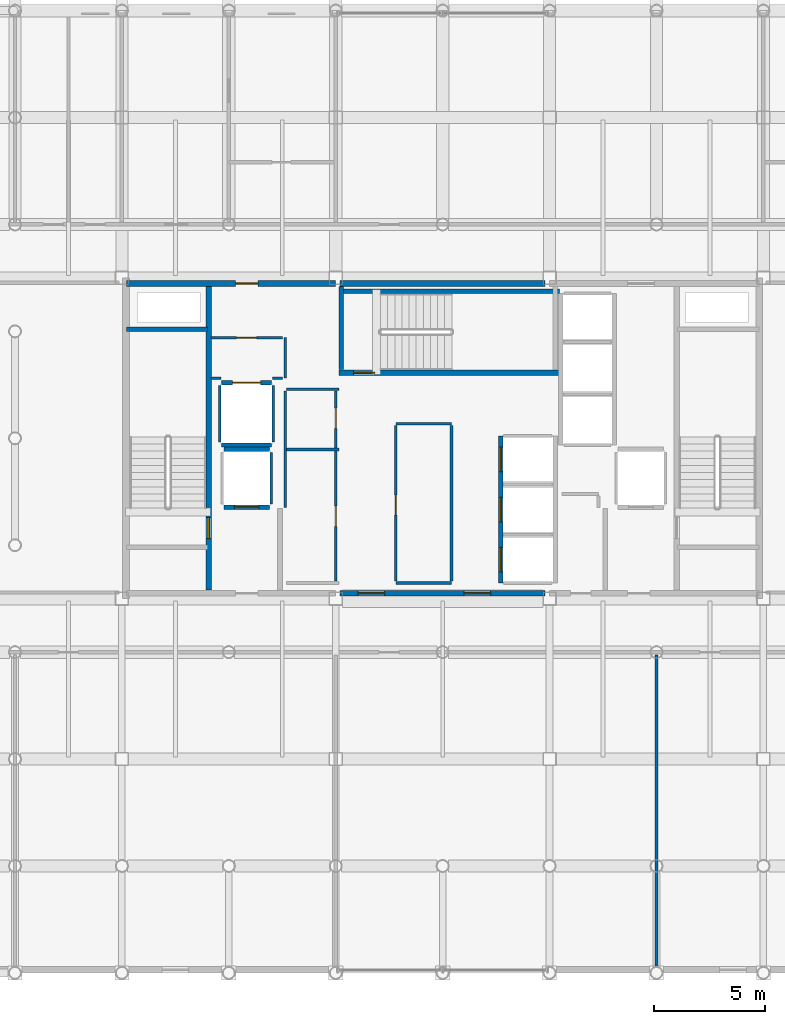
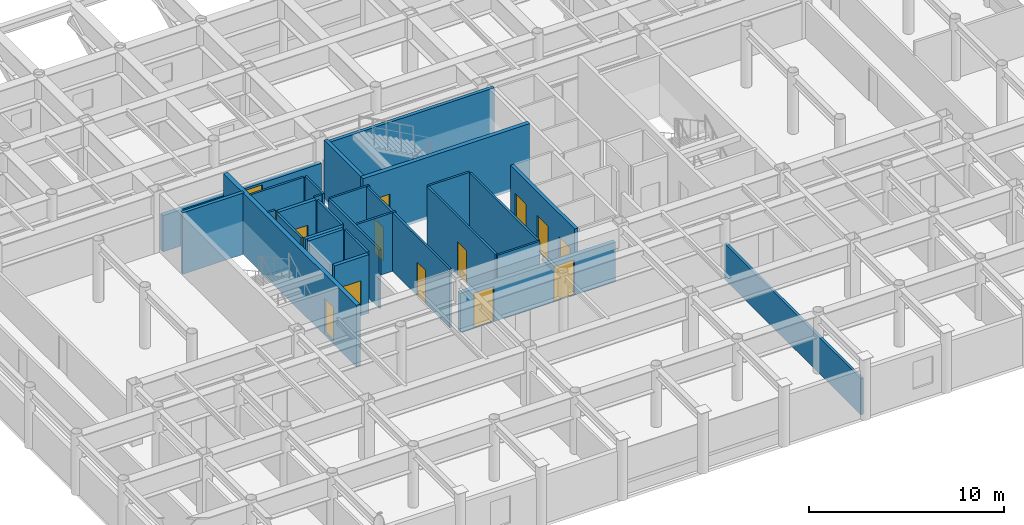
# One storey, part 21 of 24: 29 walls, 14 doors, 14 openings.
"""IFC4 building model written with IfcOpenShell, lengths in metres."""

from ifc_helpers import new_model, si_unit, direction, frame, frame_2d, origin, place, context, subcontext, project, spatial, rectangle, extrude, material, layer, layer_set, type_object, element, fill, save


model = new_model("IFC4")

# Units and contexts
model_context = context("Model", 3, precision=1e-05, world=origin(), true_north=direction((0.0, 1.0)))
body_context = subcontext(model_context, "Body", "Model", "MODEL_VIEW")
ifc_project = project(units=[si_unit("LENGTHUNIT", "METRE"), si_unit("AREAUNIT", "SQUARE_METRE"), si_unit("VOLUMEUNIT", "CUBIC_METRE"), si_unit("PLANEANGLEUNIT", "RADIAN"), si_unit("MASSUNIT", "GRAM", prefix="KILO")], contexts=[model_context])

# Site, building, storey
site_placement = place(None, origin())
site = spatial("IfcSite", under=ifc_project, at=site_placement, CompositionType="ELEMENT")
building_placement = place(site_placement, origin())
building = spatial("IfcBuilding", under=site, at=building_placement, Name="Kallvorn Hotel Tower", CompositionType="ELEMENT")
storey_placement = place(building_placement, frame((0.0, 0.0, 218.449951171875)))
storey = spatial("IfcBuildingStorey", under=building, at=storey_placement, Name="L54", CompositionType="ELEMENT", Elevation=218.449951171875)

# Walls
ifc_material_1 = material(Name="Concrete C40/50", Category="concrete")
ifc_layer_1 = layer(ifc_material_1, 0.199951171875)
ifc_layer_set_1 = layer_set([ifc_layer_1], Name="WL_HOIST_200")
wall_type_1 = type_object("IfcWallType", Name="WL_HOIST_200", PredefinedType="SOLIDWALL", material=ifc_layer_set_1)
wall_1_placement = place(storey_placement, frame((-14.199951171875, 4.89990234375, -0.179931640625), z_axis=(0.0, 0.0, 1.0), x_axis=(1.0, 0.0, 0.0)))
element("IfcWall", 1, at=wall_1_placement, inside=storey, type_object=wall_type_1, Name="L54 Stair ST1 North Wall", PredefinedType="SOLIDWALL", context=body_context, shape_type="SweptSolid", body=[
    extrude(rectangle(XDim=3.64990234375, YDim=0.199951171875, at=frame_2d((1.824951171875, 0.0))), origin(), (0.0, 0.0, 1.0), 3.85009765625),
])
wall_2_placement = place(storey_placement, frame((-4.64990234375, 6.610107421875, -0.179931640625), z_axis=(0.0, 0.0, 1.0), x_axis=(1.0, 0.0, 0.0)))
element("IfcWall", 2, at=wall_2_placement, inside=storey, type_object=wall_type_1, Name="L54 Stair ST3 Shaft North Wall", PredefinedType="SOLIDWALL", context=body_context, shape_type="SweptSolid", body=[
    extrude(rectangle(XDim=9.89990234375, YDim=0.199951171875, at=frame_2d((4.949951171875, 0.0))), origin(), (0.0, 0.0, 1.0), 3.85009765625),
])
wall_3_placement = place(storey_placement, frame((-4.550048828125, 3.080078125, -0.179931640625), z_axis=(0.0, 0.0, 1.0), x_axis=(0.0, 1.0, 0.0)))
element("IfcWall", 3, at=wall_3_placement, inside=storey, type_object=wall_type_1, Name="L54 Stair ST3 West Wall", PredefinedType="SOLIDWALL", context=body_context, shape_type="SweptSolid", body=[
    extrude(rectangle(XDim=3.739990234375, YDim=0.199951171875, at=frame_2d((1.8701171875, 0.0))), origin(), (0.0, 0.0, 1.0), 3.85009765625),
])

# Wall, openings, doors
wall_4_placement = place(storey_placement, frame((2.60009765625, -6.5, 0.0), z_axis=(0.0, 0.0, 1.0), x_axis=(0.0, 1.0, 0.0)))
wall_4 = element("IfcWall", 4, at=wall_4_placement, inside=storey, type_object=wall_type_1, Name="L54 Lift Bank B3A Landing Wall", PredefinedType="SOLIDWALL", context=body_context, shape_type="SweptSolid", body=[
    extrude(rectangle(XDim=6.60009765625, YDim=0.199951171875, at=frame_2d((3.300048828125, 0.0))), origin(), (0.0, 0.0, 1.0), 3.670166015625),
])
opening_1_placement = place(wall_4_placement, frame((0.5, 0.0, 0.0)))
opening_1 = element("IfcOpeningElement", 5, at=opening_1_placement, cuts=wall_4, Name="Opening LD-PL-09", PredefinedType="OPENING", context=body_context, shape_type="SweptSolid", body=[
    extrude(rectangle(XDim=1.10009765625, YDim=2.199951171875, at=frame_2d((0.550048828125, 1.10009765625))), frame((0.0, 0.114990234375, 0.0), z_axis=(0.0, -1.0, 0.0), x_axis=(1.0, 0.0, 0.0)), (0.0, 0.0, 1.0), 0.22998046875),
])
opening_2_placement = place(wall_4_placement, frame((2.75, 0.0, 0.0)))
opening_2 = element("IfcOpeningElement", 6, at=opening_2_placement, cuts=wall_4, Name="Opening LD-PL-10", PredefinedType="OPENING", context=body_context, shape_type="SweptSolid", body=[
    extrude(rectangle(XDim=1.10009765625, YDim=2.199951171875, at=frame_2d((0.550048828125, 1.10009765625))), frame((0.0, 0.114990234375, 0.0), z_axis=(0.0, -1.0, 0.0), x_axis=(1.0, 0.0, 0.0)), (0.0, 0.0, 1.0), 0.22998046875),
])
opening_3_placement = place(wall_4_placement, frame((5.0, 0.0, 0.0)))
opening_3 = element("IfcOpeningElement", 7, at=opening_3_placement, cuts=wall_4, Name="Opening LD-PL-11", PredefinedType="OPENING", context=body_context, shape_type="SweptSolid", body=[
    extrude(rectangle(XDim=1.10009765625, YDim=2.199951171875, at=frame_2d((0.550048828125, 1.10009765625))), frame((0.0, 0.114990234375, 0.0), z_axis=(0.0, -1.0, 0.0), x_axis=(1.0, 0.0, 0.0)), (0.0, 0.0, 1.0), 0.22998046875),
])
ifc_material_2 = material(Name="Brushed stainless-steel automatic sliding lift landing door", Category="steel")
door_type_1 = type_object("IfcDoorType", Name="LD_PASS_1100x2200", OperationType="SLIDING_TO_LEFT", PredefinedType="DOOR", material=ifc_material_2)
door_1_placement = place(opening_1_placement, origin())
door_1 = element("IfcDoor", 8, at=door_1_placement, inside=storey, type_object=door_type_1, Name="L54 Lift Landing Sliding Door LD-PL-09", OperationType="SLIDING_TO_LEFT", OverallHeight=2.199951171875, OverallWidth=1.10009765625, PredefinedType="DOOR", context=body_context, shape_type="SweptSolid", body=[
    extrude(rectangle(XDim=1.10009765625, YDim=2.199951171875, at=frame_2d((0.550048828125, 1.10009765625))), frame((0.0, 0.02490234375, 0.0), z_axis=(0.0, -1.0, 0.0), x_axis=(1.0, 0.0, 0.0)), (0.0, 0.0, 1.0), 0.050048828125),
])
fill(opening_1, door_1)
door_2_placement = place(opening_2_placement, origin())
door_2 = element("IfcDoor", 9, at=door_2_placement, inside=storey, type_object=door_type_1, Name="L54 Lift Landing Sliding Door LD-PL-10", OperationType="SLIDING_TO_LEFT", OverallHeight=2.199951171875, OverallWidth=1.10009765625, PredefinedType="DOOR", context=body_context, shape_type="SweptSolid", body=[
    extrude(rectangle(XDim=1.10009765625, YDim=2.199951171875, at=frame_2d((0.550048828125, 1.10009765625))), frame((0.0, 0.02490234375, 0.0), z_axis=(0.0, -1.0, 0.0), x_axis=(1.0, 0.0, 0.0)), (0.0, 0.0, 1.0), 0.050048828125),
])
fill(opening_2, door_2)
door_3_placement = place(opening_3_placement, origin())
door_3 = element("IfcDoor", 10, at=door_3_placement, inside=storey, type_object=door_type_1, Name="L54 Lift Landing Sliding Door LD-PL-11", OperationType="SLIDING_TO_LEFT", OverallHeight=2.199951171875, OverallWidth=1.10009765625, PredefinedType="DOOR", context=body_context, shape_type="SweptSolid", body=[
    extrude(rectangle(XDim=1.10009765625, YDim=2.199951171875, at=frame_2d((0.550048828125, 1.10009765625))), frame((0.0, 0.02490234375, 0.0), z_axis=(0.0, -1.0, 0.0), x_axis=(1.0, 0.0, 0.0)), (0.0, 0.0, 1.0), 0.050048828125),
])
fill(opening_3, door_3)

# Wall, opening, door
wall_5_placement = place(storey_placement, frame((-9.820068359375, -3.10009765625, 0.0), z_axis=(0.0, 0.0, 1.0), x_axis=(1.0, 0.0, 0.0)))
wall_5 = element("IfcWall", 11, at=wall_5_placement, inside=storey, type_object=wall_type_1, Name="L54 FL-1 Landing Wall", PredefinedType="SOLIDWALL", context=body_context, shape_type="SweptSolid", body=[
    extrude(rectangle(XDim=2.0400390625, YDim=0.199951171875, at=frame_2d((1.02001953125, 0.0))), origin(), (0.0, 0.0, 1.0), 3.670166015625),
])
opening_4_placement = place(wall_5_placement, frame((0.469970703125, 0.0, 0.0)))
opening_4 = element("IfcOpeningElement", 12, at=opening_4_placement, cuts=wall_5, Name="Opening LD-FL-1", PredefinedType="OPENING", context=body_context, shape_type="SweptSolid", body=[
    extrude(rectangle(XDim=1.10009765625, YDim=2.199951171875, at=frame_2d((0.550048828125, 1.10009765625))), frame((0.0, 0.114990234375, 0.0), z_axis=(0.0, -1.0, 0.0), x_axis=(1.0, 0.0, 0.0)), (0.0, 0.0, 1.0), 0.22998046875),
])
door_4_placement = place(opening_4_placement, origin())
door_4 = element("IfcDoor", 13, at=door_4_placement, inside=storey, type_object=door_type_1, Name="L54 Lift Landing Sliding Door LD-FL-1", OperationType="SLIDING_TO_LEFT", OverallHeight=2.199951171875, OverallWidth=1.10009765625, PredefinedType="DOOR", context=body_context, shape_type="SweptSolid", body=[
    extrude(rectangle(XDim=1.10009765625, YDim=2.199951171875, at=frame_2d((0.550048828125, 1.10009765625))), frame((0.0, 0.02490234375, 0.0), z_axis=(0.0, -1.0, 0.0), x_axis=(1.0, 0.0, 0.0)), (0.0, 0.0, 1.0), 0.050048828125),
])
fill(opening_4, door_4)

# Wall
wall_6_placement = place(storey_placement, frame((-9.820068359375, -0.5, 0.0), z_axis=(0.0, 0.0, 1.0), x_axis=(1.0, 0.0, 0.0)))
element("IfcWall", 14, at=wall_6_placement, inside=storey, type_object=wall_type_1, Name="L54 FL-1 Rear Shaft Wall", PredefinedType="SOLIDWALL", context=body_context, shape_type="SweptSolid", body=[
    extrude(rectangle(XDim=2.0400390625, YDim=0.199951171875, at=frame_2d((1.02001953125, 0.0))), origin(), (0.0, 0.0, 1.0), 3.670166015625),
])

# Wall, opening, door
wall_7_placement = place(storey_placement, frame((-9.919921875, 2.5, 0.0), z_axis=(0.0, 0.0, 1.0), x_axis=(1.0, 0.0, 0.0)))
wall_7 = element("IfcWall", 15, at=wall_7_placement, inside=storey, type_object=wall_type_1, Name="L54 SV-01 Landing Wall", PredefinedType="SOLIDWALL", context=body_context, shape_type="SweptSolid", body=[
    extrude(rectangle(XDim=2.239990234375, YDim=0.199951171875, at=frame_2d((1.1201171875, 0.0))), origin(), (0.0, 0.0, 1.0), 3.670166015625),
])
opening_5_placement = place(wall_7_placement, frame((0.4951171875, 0.0, 0.0)))
opening_5 = element("IfcOpeningElement", 16, at=opening_5_placement, cuts=wall_7, Name="Opening LD-SV-01", PredefinedType="OPENING", context=body_context, shape_type="SweptSolid", body=[
    extrude(rectangle(XDim=1.25, YDim=2.25, at=frame_2d((0.625, 1.125))), frame((0.0, 0.114990234375, 0.0), z_axis=(0.0, -1.0, 0.0), x_axis=(1.0, 0.0, 0.0)), (0.0, 0.0, 1.0), 0.22998046875),
])
ifc_material_3 = material(Name="Brushed stainless-steel automatic sliding lift landing door", Category="steel")
door_type_2 = type_object("IfcDoorType", Name="LD_SERV_1250x2250", OperationType="SLIDING_TO_LEFT", PredefinedType="DOOR", material=ifc_material_3)
door_5_placement = place(opening_5_placement, origin())
door_5 = element("IfcDoor", 17, at=door_5_placement, inside=storey, type_object=door_type_2, Name="L54 Lift Landing Sliding Door LD-SV-01", OperationType="SLIDING_TO_LEFT", OverallHeight=2.25, OverallWidth=1.25, PredefinedType="DOOR", context=body_context, shape_type="SweptSolid", body=[
    extrude(rectangle(XDim=1.25, YDim=2.25, at=frame_2d((0.625, 1.125))), frame((0.0, 0.02490234375, 0.0), z_axis=(0.0, -1.0, 0.0), x_axis=(1.0, 0.0, 0.0)), (0.0, 0.0, 1.0), 0.050048828125),
])
fill(opening_5, door_5)

# Walls
wall_8_placement = place(storey_placement, frame((-9.919921875, -0.300048828125, 0.0), z_axis=(0.0, 0.0, 1.0), x_axis=(1.0, 0.0, 0.0)))
element("IfcWall", 18, at=wall_8_placement, inside=storey, type_object=wall_type_1, Name="L54 SV-01 Rear Shaft Wall", PredefinedType="SOLIDWALL", context=body_context, shape_type="SweptSolid", body=[
    extrude(rectangle(XDim=2.239990234375, YDim=0.199951171875, at=frame_2d((1.1201171875, 0.0))), origin(), (0.0, 0.0, 1.0), 3.670166015625),
])
ifc_material_4 = material(Name="Fire-rated double-layer acoustic gypsum drywall EI 60")
ifc_layer_2 = layer(ifc_material_4, 0.1201171875)
ifc_layer_set_2 = layer_set([ifc_layer_2], Name="WL_INT_120")
wall_type_2 = type_object("IfcWallType", Name="WL_INT_120", PredefinedType="PARTITIONING", material=ifc_layer_set_2)
wall_9_placement = place(storey_placement, frame((-7.699951171875, -2.9599609375, 0.0), z_axis=(0.0, 0.0, 1.0), x_axis=(0.0, 1.0, 0.0)))
element("IfcWall", 19, at=wall_9_placement, inside=storey, type_object=wall_type_2, Name="L54 FL-1 East Shaft Wall", PredefinedType="PARTITIONING", context=body_context, shape_type="SweptSolid", body=[
    extrude(rectangle(XDim=2.320068359375, YDim=0.1201171875, at=frame_2d((1.16015625, 0.0))), origin(), (0.0, 0.0, 1.0), 3.670166015625),
])
for number, where, z_axis, x_axis, name in (
    (20, (-10.0, -0.159912109375, 0.0), (0.0, 0.0, 1.0), (0.0, 1.0, 0.0), "L54 SV-01 West Shaft Wall"),
    (21, (-7.60009765625, -0.159912109375, 0.0), (0.0, 0.0, 1.0), (0.0, 1.0, 0.0), "L54 SV-01 East Shaft Wall"),
):
    element("IfcWall", number, at=place(storey_placement, frame(where, z_axis=z_axis, x_axis=x_axis)), inside=storey, type_object=wall_type_2, Name=name, PredefinedType="PARTITIONING", context=body_context, shape_type="SweptSolid", body=[
        extrude(rectangle(XDim=2.52001953125, YDim=0.1201171875, at=frame_2d((1.260009765625, 0.0))), origin(), (0.0, 0.0, 1.0), 3.670166015625),
    ])
wall_10_placement = place(storey_placement, frame((-2.10009765625, -6.5, 0.0), z_axis=(0.0, 0.0, 1.0), x_axis=(1.0, 0.0, 0.0)))
element("IfcWall", 22, at=wall_10_placement, inside=storey, type_object=wall_type_2, Name="L54 High-Zone IT and Tableware Reserve Room Partition", PredefinedType="PARTITIONING", context=body_context, shape_type="SweptSolid", body=[
    extrude(rectangle(XDim=2.5, YDim=0.1201171875, at=frame_2d((1.25, 0.0))), origin(), (0.0, 0.0, 1.0), 3.670166015625),
])
wall_11_placement = place(storey_placement, frame((-7.0, -0.5, 0.0), z_axis=(0.0, 0.0, 1.0), x_axis=(1.0, 0.0, 0.0)))
element("IfcWall", 23, at=wall_11_placement, inside=storey, type_object=wall_type_2, Name="L54 Recaptured Full-Depth Sommelier Store Partition", PredefinedType="PARTITIONING", context=body_context, shape_type="SweptSolid", body=[
    extrude(rectangle(XDim=2.35009765625, YDim=0.1201171875, at=frame_2d((1.175048828125, 0.0))), origin(), (0.0, 0.0, 1.0), 3.670166015625),
])
wall_12_placement = place(storey_placement, frame((-2.10009765625, 0.64990234375, 0.0), z_axis=(0.0, 0.0, 1.0), x_axis=(1.0, 0.0, 0.0)))
element("IfcWall", 24, at=wall_12_placement, inside=storey, type_object=wall_type_2, Name="L54 High-Zone IT and Tableware Reserve Room Partition", PredefinedType="PARTITIONING", context=body_context, shape_type="SweptSolid", body=[
    extrude(rectangle(XDim=2.5, YDim=0.1201171875, at=frame_2d((1.25, 0.0))), origin(), (0.0, 0.0, 1.0), 3.670166015625),
])
wall_13_placement = place(storey_placement, frame((-7.0, 2.199951171875, 0.0), z_axis=(0.0, 0.0, 1.0), x_axis=(1.0, 0.0, 0.0)))
element("IfcWall", 25, at=wall_13_placement, inside=storey, type_object=wall_type_2, Name="L54 Recaptured Housekeeping Prep Room Partition", PredefinedType="PARTITIONING", context=body_context, shape_type="SweptSolid", body=[
    extrude(rectangle(XDim=2.35009765625, YDim=0.1201171875, at=frame_2d((1.175048828125, 0.0))), origin(), (0.0, 0.0, 1.0), 3.670166015625),
])
for number, where, z_axis, x_axis, name in (
    (26, (-10.39990234375, 2.699951171875, 0.0), (0.0, 0.0, 1.0), (1.0, 0.0, 0.0), "L54 Core Telecom and Metering Store Partition"),
    (27, (-7.639892578125, 2.699951171875, 0.0), (0.0, 0.0, 1.0), (1.0, 0.0, 0.0), "L54 Core Telecom and Metering Store Partition"),
):
    element("IfcWall", number, at=place(storey_placement, frame(where, z_axis=z_axis, x_axis=x_axis)), inside=storey, type_object=wall_type_2, Name=name, PredefinedType="PARTITIONING", context=body_context, shape_type="SweptSolid", body=[
        extrude(rectangle(XDim=0.43994140625, YDim=0.1201171875, at=frame_2d((0.219970703125, 0.0))), origin(), (0.0, 0.0, 1.0), 3.670166015625),
    ])

# Wall, opening, door
wall_14_placement = place(storey_placement, frame((-10.39990234375, 4.52001953125, 0.0), z_axis=(0.0, 0.0, 1.0), x_axis=(1.0, 0.0, 0.0)))
wall_14 = element("IfcWall", 28, at=wall_14_placement, inside=storey, type_object=wall_type_2, Name="L54 Core Telecom and Metering Store Partition", PredefinedType="PARTITIONING", context=body_context, shape_type="SweptSolid", body=[
    extrude(rectangle(XDim=3.199951171875, YDim=0.1201171875, at=frame_2d((1.60009765625, 0.0))), origin(), (0.0, 0.0, 1.0), 3.670166015625),
])
opening_6_placement = place(wall_14_placement, frame((1.14990234375, 0.0, 0.0)))
opening_6 = element("IfcOpeningElement", 29, at=opening_6_placement, cuts=wall_14, Name="Opening SVD1", PredefinedType="OPENING", context=body_context, shape_type="SweptSolid", body=[
    extrude(rectangle(XDim=0.89990234375, YDim=2.10009765625, at=frame_2d((0.449951171875, 1.050048828125))), frame((0.0, 0.074951171875, 0.0), z_axis=(0.0, -1.0, 0.0), x_axis=(1.0, 0.0, 0.0)), (0.0, 0.0, 1.0), 0.150146484375),
])
ifc_material_5 = material(Name="Galvanised painted steel fire-rated door assembly", Category="steel")
door_type_3 = type_object("IfcDoorType", Name="DR_SERV_900x2100", OperationType="NOTDEFINED", PredefinedType="DOOR", material=ifc_material_5)
door_6_placement = place(opening_6_placement, origin())
door_6 = element("IfcDoor", 30, at=door_6_placement, inside=storey, type_object=door_type_3, Name="L54 Core Telecom and Metering Store Door", OperationType="SINGLE_SWING_RIGHT", OverallHeight=2.10009765625, OverallWidth=0.89990234375, PredefinedType="DOOR", context=body_context, shape_type="SweptSolid", body=[
    extrude(rectangle(XDim=0.89990234375, YDim=2.10009765625, at=frame_2d((0.449951171875, 1.050048828125))), frame((0.0, 0.02490234375, 0.0), z_axis=(0.0, -1.0, 0.0), x_axis=(1.0, 0.0, 0.0)), (0.0, 0.0, 1.0), 0.050048828125),
])
fill(opening_6, door_6)

# Walls
wall_15_placement = place(storey_placement, frame((-7.066650390625, -3.110107421875, 0.0), z_axis=(0.0, 0.0, 1.0), x_axis=(0.0, 1.0, 0.0)))
element("IfcWall", 31, at=wall_15_placement, inside=storey, type_object=wall_type_2, Name="L54 Recaptured Full-Depth Sommelier Store Partition", PredefinedType="PARTITIONING", context=body_context, shape_type="SweptSolid", body=[
    extrude(rectangle(XDim=5.22509765625, YDim=0.1201171875, at=frame_2d((2.612548828125, 0.0))), origin(), (0.0, 0.0, 1.0), 3.670166015625),
])
wall_16_placement = place(storey_placement, frame((-7.066650390625, 2.699951171875, 0.0), z_axis=(0.0, 0.0, 1.0), x_axis=(0.0, 1.0, 0.0)))
element("IfcWall", 32, at=wall_16_placement, inside=storey, type_object=wall_type_2, Name="L54 Core Telecom and Metering Store Partition", PredefinedType="PARTITIONING", context=body_context, shape_type="SweptSolid", body=[
    extrude(rectangle(XDim=1.820068359375, YDim=0.1201171875, at=frame_2d((0.91015625, 0.0))), origin(), (0.0, 0.0, 1.0), 3.670166015625),
])

# Wall, openings, doors
wall_17_placement = place(storey_placement, frame((-4.800048828125, -6.4150390625, 0.0), z_axis=(0.0, 0.0, 1.0), x_axis=(0.0, 1.0, 0.0)))
wall_17 = element("IfcWall", 33, at=wall_17_placement, inside=storey, type_object=wall_type_2, Name="L54 Recaptured Full-Depth Sommelier Store Partition", PredefinedType="PARTITIONING", context=body_context, shape_type="SweptSolid", body=[
    extrude(rectangle(XDim=8.530029296875, YDim=0.1201171875, at=frame_2d((4.26513671875, 0.0))), origin(), (0.0, 0.0, 1.0), 3.670166015625),
])
opening_7_placement = place(wall_17_placement, frame((2.465087890625, 0.0, 0.0)))
opening_7 = element("IfcOpeningElement", 34, at=opening_7_placement, cuts=wall_17, Name="Opening SVD1", PredefinedType="OPENING", context=body_context, shape_type="SweptSolid", body=[
    extrude(rectangle(XDim=0.89990234375, YDim=2.10009765625, at=frame_2d((0.449951171875, 1.050048828125))), frame((0.0, 0.074951171875, 0.0), z_axis=(0.0, -1.0, 0.0), x_axis=(1.0, 0.0, 0.0)), (0.0, 0.0, 1.0), 0.150146484375),
])
opening_8_placement = place(wall_17_placement, frame((6.864990234375, 0.0, 0.0)))
opening_8 = element("IfcOpeningElement", 35, at=opening_8_placement, cuts=wall_17, Name="Opening SVD1", PredefinedType="OPENING", context=body_context, shape_type="SweptSolid", body=[
    extrude(rectangle(XDim=0.89990234375, YDim=2.10009765625, at=frame_2d((0.449951171875, 1.050048828125))), frame((0.0, 0.074951171875, 0.0), z_axis=(0.0, -1.0, 0.0), x_axis=(1.0, 0.0, 0.0)), (0.0, 0.0, 1.0), 0.150146484375),
])
door_7_placement = place(opening_7_placement, origin())
door_7 = element("IfcDoor", 36, at=door_7_placement, inside=storey, type_object=door_type_3, Name="L54 Recaptured Full-Depth Sommelier Store Door", OperationType="SINGLE_SWING_RIGHT", OverallHeight=2.10009765625, OverallWidth=0.89990234375, PredefinedType="DOOR", context=body_context, shape_type="SweptSolid", body=[
    extrude(rectangle(XDim=0.89990234375, YDim=2.10009765625, at=frame_2d((0.449951171875, 1.050048828125))), frame((0.0, 0.02490234375, 0.0), z_axis=(0.0, -1.0, 0.0), x_axis=(1.0, 0.0, 0.0)), (0.0, 0.0, 1.0), 0.050048828125),
])
fill(opening_7, door_7)
door_8_placement = place(opening_8_placement, origin())
door_8 = element("IfcDoor", 37, at=door_8_placement, inside=storey, type_object=door_type_3, Name="L54 Recaptured Housekeeping Prep Room Door", OperationType="SINGLE_SWING_RIGHT", OverallHeight=2.10009765625, OverallWidth=0.89990234375, PredefinedType="DOOR", context=body_context, shape_type="SweptSolid", body=[
    extrude(rectangle(XDim=0.89990234375, YDim=2.10009765625, at=frame_2d((0.449951171875, 1.050048828125))), frame((0.0, 0.02490234375, 0.0), z_axis=(0.0, -1.0, 0.0), x_axis=(1.0, 0.0, 0.0)), (0.0, 0.0, 1.0), 0.050048828125),
])
fill(opening_8, door_8)

# Wall, opening, door
wall_18_placement = place(storey_placement, frame((-2.10009765625, -6.4150390625, 0.0), z_axis=(0.0, 0.0, 1.0), x_axis=(0.0, 1.0, 0.0)))
wall_18 = element("IfcWall", 38, at=wall_18_placement, inside=storey, type_object=wall_type_2, Name="L54 High-Zone IT and Tableware Reserve Room Partition", PredefinedType="PARTITIONING", context=body_context, shape_type="SweptSolid", body=[
    extrude(rectangle(XDim=6.97998046875, YDim=0.1201171875, at=frame_2d((3.489990234375, 0.0))), origin(), (0.0, 0.0, 1.0), 3.670166015625),
])
opening_9_placement = place(wall_18_placement, frame((2.965087890625, 0.0, 0.0)))
opening_9 = element("IfcOpeningElement", 39, at=opening_9_placement, cuts=wall_18, Name="Opening SVD1", PredefinedType="OPENING", context=body_context, shape_type="SweptSolid", body=[
    extrude(rectangle(XDim=0.89990234375, YDim=2.10009765625, at=frame_2d((0.449951171875, 1.050048828125))), frame((0.0, 0.074951171875, 0.0), z_axis=(0.0, -1.0, 0.0), x_axis=(1.0, 0.0, 0.0)), (0.0, 0.0, 1.0), 0.150146484375),
])
door_9_placement = place(opening_9_placement, origin())
door_9 = element("IfcDoor", 40, at=door_9_placement, inside=storey, type_object=door_type_3, Name="L54 High-Zone IT and Tableware Reserve Room Door", OperationType="SINGLE_SWING_LEFT", OverallHeight=2.10009765625, OverallWidth=0.89990234375, PredefinedType="DOOR", context=body_context, shape_type="SweptSolid", body=[
    extrude(rectangle(XDim=0.89990234375, YDim=2.10009765625, at=frame_2d((0.449951171875, 1.050048828125))), frame((0.0, 0.02490234375, 0.0), z_axis=(0.0, -1.0, 0.0), x_axis=(1.0, 0.0, 0.0)), (0.0, 0.0, 1.0), 0.050048828125),
])
fill(opening_9, door_9)

# Walls
wall_19_placement = place(storey_placement, frame((0.39990234375, -6.4150390625, 0.0), z_axis=(0.0, 0.0, 1.0), x_axis=(0.0, 1.0, 0.0)))
element("IfcWall", 41, at=wall_19_placement, inside=storey, type_object=wall_type_2, Name="L54 High-Zone IT and Tableware Reserve Room Partition", PredefinedType="PARTITIONING", context=body_context, shape_type="SweptSolid", body=[
    extrude(rectangle(XDim=6.97998046875, YDim=0.1201171875, at=frame_2d((3.489990234375, 0.0))), origin(), (0.0, 0.0, 1.0), 3.670166015625),
])
ifc_material_6 = material(Name="Fire-rated double-layer acoustic gypsum drywall EI 60")
ifc_layer_3 = layer(ifc_material_6, 0.14990234375)
ifc_layer_set_3 = layer_set([ifc_layer_3], Name="WL_PART_150")
wall_type_3 = type_object("IfcWallType", Name="WL_PART_150", PredefinedType="PARTITIONING", material=ifc_layer_set_3)
wall_20_placement = place(storey_placement, frame((9.60009765625, -23.7099609375, 0.0), z_axis=(0.0, 0.0, 1.0), x_axis=(0.0, 1.0, 0.0)))
element("IfcWall", 42, at=wall_20_placement, inside=storey, type_object=wall_type_3, Name="L54 L54 Haute Couture Design Retail Shop 3 Partition", PredefinedType="PARTITIONING", context=body_context, shape_type="SweptSolid", body=[
    extrude(rectangle(XDim=13.989990234375, YDim=0.14990234375, at=frame_2d((6.9951171875, 0.0))), origin(), (0.0, 0.0, 1.0), 2.27001953125),
])

# Wall, openings, doors
ifc_material_7 = material(Name="Concrete C40/50", Category="concrete")
ifc_layer_4 = layer(ifc_material_7, 0.25)
ifc_layer_set_4 = layer_set([ifc_layer_4], Name="WL_SHAFT_250")
wall_type_4 = type_object("IfcWallType", Name="WL_SHAFT_250", PredefinedType="SOLIDWALL", material=ifc_layer_set_4)
wall_21_placement = place(storey_placement, frame((-4.60009765625, -6.949951171875, 0.0), z_axis=(0.0, 0.0, 1.0), x_axis=(1.0, 0.0, 0.0)))
wall_21 = element("IfcWall", 43, at=wall_21_placement, inside=storey, type_object=wall_type_4, Name="L54 Core South-Central Wall", PredefinedType="SOLIDWALL", context=body_context, shape_type="SweptSolid", body=[
    extrude(rectangle(XDim=9.2001953125, YDim=0.25, at=frame_2d((4.60009765625, 0.0))), origin(), (0.0, 0.0, 1.0), 2.469970703125),
])
opening_10_placement = place(wall_21_placement, frame((0.800048828125, 0.0, 0.0)))
opening_10 = element("IfcOpeningElement", 44, at=opening_10_placement, cuts=wall_21, Name="Opening FD2", PredefinedType="OPENING", context=body_context, shape_type="SweptSolid", body=[
    extrude(rectangle(XDim=1.199951171875, YDim=2.199951171875, at=frame_2d((0.60009765625, 1.10009765625))), frame((0.0, 0.139892578125, 0.0), z_axis=(0.0, -1.0, 0.0), x_axis=(1.0, 0.0, 0.0)), (0.0, 0.0, 1.0), 0.280029296875),
])
opening_11_placement = place(wall_21_placement, frame((5.550048828125, 0.0, 0.0)))
opening_11 = element("IfcOpeningElement", 45, at=opening_11_placement, cuts=wall_21, Name="Opening FD2", PredefinedType="OPENING", context=body_context, shape_type="SweptSolid", body=[
    extrude(rectangle(XDim=1.199951171875, YDim=2.199951171875, at=frame_2d((0.60009765625, 1.10009765625))), frame((0.0, 0.139892578125, 0.0), z_axis=(0.0, -1.0, 0.0), x_axis=(1.0, 0.0, 0.0)), (0.0, 0.0, 1.0), 0.280029296875),
])
ifc_material_8 = material(Name="Galvanised painted steel fire-rated door assembly", Category="steel")
door_type_4 = type_object("IfcDoorType", Name="DR_LOBBY_1200x2200", OperationType="DOUBLE_DOOR_SINGLE_SWING", PredefinedType="DOOR", material=ifc_material_8)
door_10_placement = place(opening_10_placement, origin())
door_10 = element("IfcDoor", 46, at=door_10_placement, inside=storey, type_object=door_type_4, Name="L54 West Passenger Lift Lobby Door", OperationType="DOUBLE_DOOR_SINGLE_SWING", OverallHeight=2.199951171875, OverallWidth=1.199951171875, PredefinedType="DOOR", context=body_context, shape_type="SweptSolid", body=[
    extrude(rectangle(XDim=1.199951171875, YDim=2.199951171875, at=frame_2d((0.60009765625, 1.10009765625))), frame((0.0, 0.02490234375, 0.0), z_axis=(0.0, -1.0, 0.0), x_axis=(1.0, 0.0, 0.0)), (0.0, 0.0, 1.0), 0.050048828125),
])
fill(opening_10, door_10)
door_11_placement = place(opening_11_placement, origin())
door_11 = element("IfcDoor", 47, at=door_11_placement, inside=storey, type_object=door_type_4, Name="L54 East Passenger Lift Lobby Door", OperationType="DOUBLE_DOOR_SINGLE_SWING", OverallHeight=2.199951171875, OverallWidth=1.199951171875, PredefinedType="DOOR", context=body_context, shape_type="SweptSolid", body=[
    extrude(rectangle(XDim=1.199951171875, YDim=2.199951171875, at=frame_2d((0.60009765625, 1.10009765625))), frame((0.0, 0.02490234375, 0.0), z_axis=(0.0, -1.0, 0.0), x_axis=(1.0, 0.0, 0.0)), (0.0, 0.0, 1.0), 0.050048828125),
])
fill(opening_11, door_11)

# Wall, opening, door
wall_22_placement = place(storey_placement, frame((-14.199951171875, 6.949951171875, 0.0), z_axis=(0.0, 0.0, 1.0), x_axis=(1.0, 0.0, 0.0)))
wall_22 = element("IfcWall", 48, at=wall_22_placement, inside=storey, type_object=wall_type_4, Name="L54 Core North-West Wall", PredefinedType="SOLIDWALL", context=body_context, shape_type="SweptSolid", body=[
    extrude(rectangle(XDim=9.39990234375, YDim=0.25, at=frame_2d((4.699951171875, 0.0))), origin(), (0.0, 0.0, 1.0), 2.27001953125),
])
opening_12_placement = place(wall_22_placement, frame((4.89990234375, 0.0, 0.0)))
opening_12 = element("IfcOpeningElement", 49, at=opening_12_placement, cuts=wall_22, Name="Opening FD1", PredefinedType="OPENING", context=body_context, shape_type="SweptSolid", body=[
    extrude(rectangle(XDim=1.0, YDim=2.14990234375, at=frame_2d((0.5, 1.074951171875))), frame((0.0, 0.139892578125, 0.0), z_axis=(0.0, -1.0, 0.0), x_axis=(1.0, 0.0, 0.0)), (0.0, 0.0, 1.0), 0.280029296875),
])
ifc_material_9 = material(Name="Galvanised painted steel fire-rated door assembly", Category="steel")
door_type_5 = type_object("IfcDoorType", Name="DR_FFL_1000x2150", OperationType="NOTDEFINED", PredefinedType="DOOR", material=ifc_material_9)
door_12_placement = place(opening_12_placement, origin())
door_12 = element("IfcDoor", 50, at=door_12_placement, inside=storey, type_object=door_type_5, Name="L54 Service Lift Lobby Door", OperationType="SINGLE_SWING_RIGHT", OverallHeight=2.14990234375, OverallWidth=1.0, PredefinedType="DOOR", context=body_context, shape_type="SweptSolid", body=[
    extrude(rectangle(XDim=1.0, YDim=2.14990234375, at=frame_2d((0.5, 1.074951171875))), frame((0.0, 0.02490234375, 0.0), z_axis=(0.0, -1.0, 0.0), x_axis=(1.0, 0.0, 0.0)), (0.0, 0.0, 1.0), 0.050048828125),
])
fill(opening_12, door_12)

# Wall
wall_23_placement = place(storey_placement, frame((-4.60009765625, 6.949951171875, 0.0), z_axis=(0.0, 0.0, 1.0), x_axis=(1.0, 0.0, 0.0)))
element("IfcWall", 51, at=wall_23_placement, inside=storey, type_object=wall_type_4, Name="L54 Core North-Central Wall", PredefinedType="SOLIDWALL", context=body_context, shape_type="SweptSolid", body=[
    extrude(rectangle(XDim=9.2001953125, YDim=0.25, at=frame_2d((4.60009765625, 0.0))), origin(), (0.0, 0.0, 1.0), 2.27001953125),
])

# Wall, opening, door
wall_24_placement = place(storey_placement, frame((-10.5, -6.820068359375, -0.179931640625), z_axis=(0.0, 0.0, 1.0), x_axis=(0.0, 1.0, 0.0)))
wall_24 = element("IfcWall", 52, at=wall_24_placement, inside=storey, type_object=wall_type_4, Name="L54 Stair ST1 Shaft Wall", PredefinedType="SOLIDWALL", context=body_context, shape_type="SweptSolid", body=[
    extrude(rectangle(XDim=13.64013671875, YDim=0.25, at=frame_2d((6.820068359375, 0.0))), origin(), (0.0, 0.0, 1.0), 3.85009765625),
])
opening_13_placement = place(wall_24_placement, frame((2.320068359375, 0.0, 0.179931640625)))
opening_13 = element("IfcOpeningElement", 53, at=opening_13_placement, cuts=wall_24, Name="Opening SD1", PredefinedType="OPENING", context=body_context, shape_type="SweptSolid", body=[
    extrude(rectangle(XDim=0.949951171875, YDim=2.14990234375, at=frame_2d((0.47509765625, 1.074951171875))), frame((0.0, 0.139892578125, 0.0), z_axis=(0.0, -1.0, 0.0), x_axis=(1.0, 0.0, 0.0)), (0.0, 0.0, 1.0), 0.280029296875),
])
ifc_material_10 = material(Name="Galvanised painted steel fire-rated door assembly", Category="steel")
door_type_6 = type_object("IfcDoorType", Name="DR_STAIR_950x2150", OperationType="NOTDEFINED", PredefinedType="DOOR", material=ifc_material_10)
door_13_placement = place(opening_13_placement, origin())
door_13 = element("IfcDoor", 54, at=door_13_placement, inside=storey, type_object=door_type_6, Name="L54 Exit Stair ST1 Fire Door", OperationType="SINGLE_SWING_RIGHT", OverallHeight=2.14990234375, OverallWidth=0.949951171875, PredefinedType="DOOR", context=body_context, shape_type="SweptSolid", body=[
    extrude(rectangle(XDim=0.949951171875, YDim=2.14990234375, at=frame_2d((0.47509765625, 1.074951171875))), frame((0.0, 0.02490234375, 0.0), z_axis=(0.0, -1.0, 0.0), x_axis=(1.0, 0.0, 0.0)), (0.0, 0.0, 1.0), 0.050048828125),
])
fill(opening_13, door_13)

wall_25_placement = place(storey_placement, frame((-4.64990234375, 2.949951171875, -0.179931640625), z_axis=(0.0, 0.0, 1.0), x_axis=(1.0, 0.0, 0.0)))
wall_25 = element("IfcWall", 55, at=wall_25_placement, inside=storey, type_object=wall_type_4, Name="L54 Stair ST3 Shaft South Wall", PredefinedType="SOLIDWALL", context=body_context, shape_type="SweptSolid", body=[
    extrude(rectangle(XDim=9.89990234375, YDim=0.25, at=frame_2d((4.949951171875, 0.0))), origin(), (0.0, 0.0, 1.0), 3.85009765625),
])
opening_14_placement = place(wall_25_placement, frame((0.64990234375, 0.0, 0.179931640625)))
opening_14 = element("IfcOpeningElement", 56, at=opening_14_placement, cuts=wall_25, Name="Opening SD1", PredefinedType="OPENING", context=body_context, shape_type="SweptSolid", body=[
    extrude(rectangle(XDim=0.949951171875, YDim=2.14990234375, at=frame_2d((0.47509765625, 1.074951171875))), frame((0.0, 0.139892578125, 0.0), z_axis=(0.0, -1.0, 0.0), x_axis=(1.0, 0.0, 0.0)), (0.0, 0.0, 1.0), 0.280029296875),
])
door_14_placement = place(opening_14_placement, origin())
door_14 = element("IfcDoor", 57, at=door_14_placement, inside=storey, type_object=door_type_6, Name="L54 Exit Stair ST3 Fire Door", OperationType="SINGLE_SWING_LEFT", OverallHeight=2.14990234375, OverallWidth=0.949951171875, PredefinedType="DOOR", context=body_context, shape_type="SweptSolid", body=[
    extrude(rectangle(XDim=0.949951171875, YDim=2.14990234375, at=frame_2d((0.47509765625, 1.074951171875))), frame((0.0, 0.02490234375, 0.0), z_axis=(0.0, -1.0, 0.0), x_axis=(1.0, 0.0, 0.0)), (0.0, 0.0, 1.0), 0.050048828125),
])
fill(opening_14, door_14)

save(model, "model.ifc")
